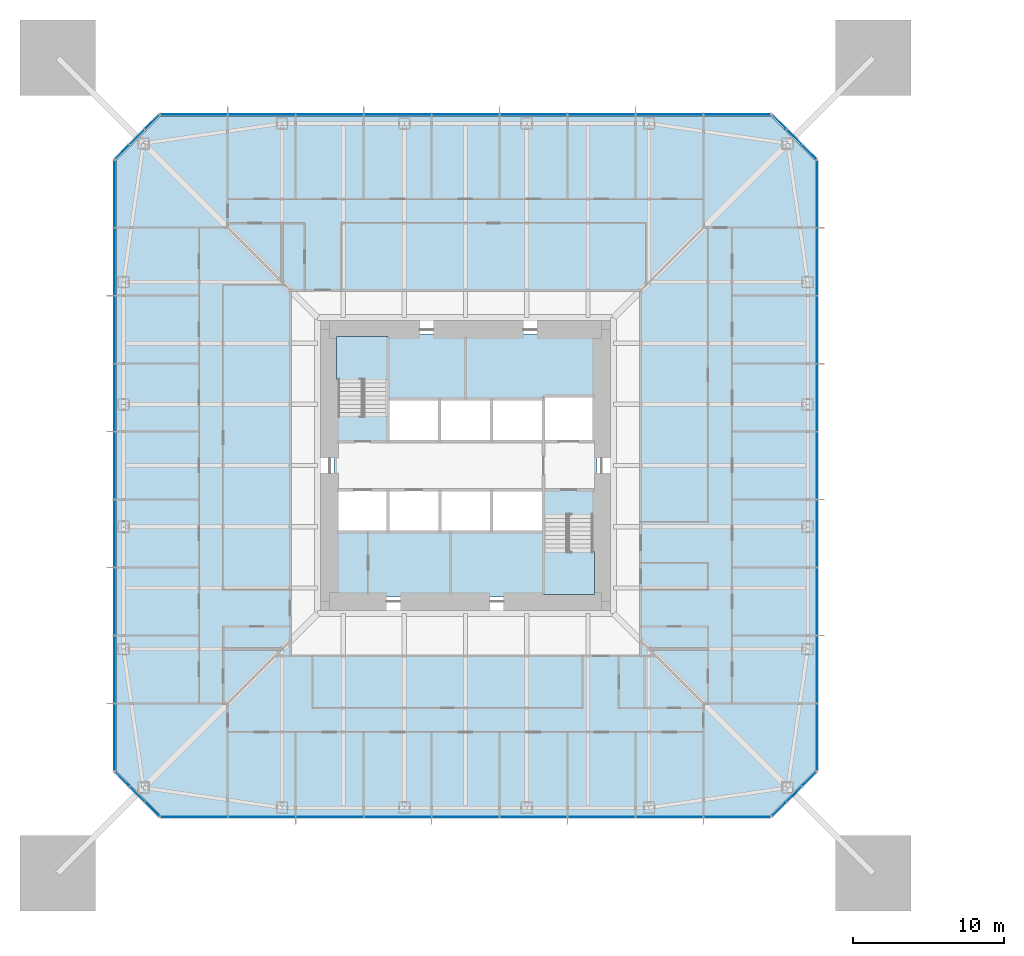
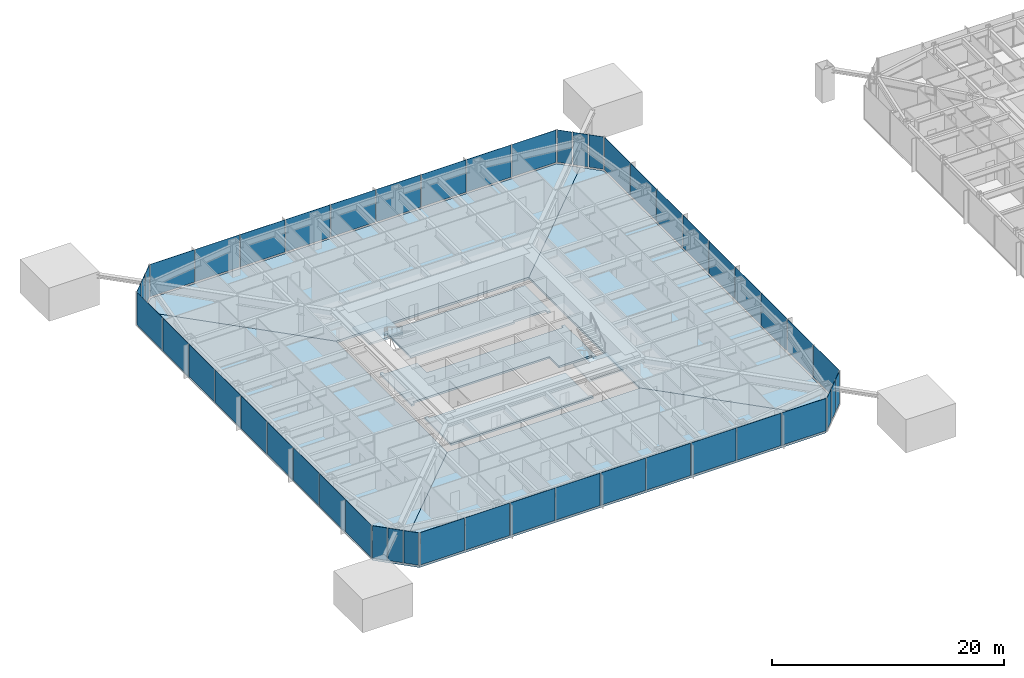
# One storey, part 12 of 26: 48 plates, 9 slabs, 10 elements without a shape of their own.
"""IFC4 building model written with IfcOpenShell, lengths in metres."""

from ifc_helpers import new_model, si_unit, direction, frame, origin, origin_2d, place, context, subcontext, project, spatial, polyline, rectangle, outline, extrude, material, layer, layer_set, constituent, constituent_set, type_object, element, aggregate, save


model = new_model("IFC4")

# Units and contexts
model_context = context("Model", 3, precision=1e-05, world=origin(), true_north=direction((0.0, 1.0)))
body_context = subcontext(model_context, "Body", "Model", "MODEL_VIEW")
ifc_project = project(units=[si_unit("LENGTHUNIT", "METRE"), si_unit("AREAUNIT", "SQUARE_METRE"), si_unit("VOLUMEUNIT", "CUBIC_METRE"), si_unit("PLANEANGLEUNIT", "RADIAN"), si_unit("MASSUNIT", "GRAM", prefix="KILO")], contexts=[model_context])

# Site, building, storey
site_placement = place(None, origin())
site = spatial("IfcSite", under=ifc_project, at=site_placement, CompositionType="ELEMENT")
building_placement = place(site_placement, origin())
building = spatial("IfcBuilding", under=site, at=building_placement, Name="Iwan Alto Co-Living Towers", CompositionType="ELEMENT")
storey_placement = place(building_placement, frame((0.0, 0.0, 22.0)))
storey = spatial("IfcBuildingStorey", under=building, at=storey_placement, Name="L05", CompositionType="ELEMENT", Elevation=22.0)

# Slabs
ifc_material_1 = material(Name="Concrete f'c 30 MPa", Category="concrete")
ifc_layer_1 = layer(ifc_material_1, 0.199951171875)
ifc_layer_set_1 = layer_set([ifc_layer_1], Name="CORE FLOOR SLAB 200")
slab_type_1 = type_object("IfcSlabType", Name="CORE FLOOR SLAB 200", PredefinedType="FLOOR", material=ifc_layer_set_1)
slab_1_placement = place(storey_placement, frame((0.0, 0.0, -0.199951171875)))
element("IfcSlab", 1, at=slab_1_placement, inside=storey, type_object=slab_type_1, Name="T1 core floor L05", PredefinedType="FLOOR", context=body_context, shape_type="SweptSolid", body=[
    extrude(outline(polyline([(8.699951171875, -3.580078125), (8.39990234375, -3.580078125), (8.39990234375, -3.27001953125), (5.14990234375, -3.27001953125), (5.14990234375, -1.60009765625), (1.72509765625, -1.60009765625), (-1.699951171875, -1.60009765625), (-5.125, -1.60009765625), (-8.39990234375, -1.60009765625), (-8.39990234375, -1.909912109375), (-8.699951171875, -1.909912109375), (-8.699951171875, 3.580078125), (-8.39990234375, 3.580078125), (-8.39990234375, 3.27001953125), (-5.14990234375, 3.27001953125), (-5.14990234375, 1.60009765625), (-1.717041015625, 1.60009765625), (1.717041015625, 1.60009765625), (5.14990234375, 1.60009765625), (8.39990234375, 1.60009765625), (8.39990234375, 1.909912109375), (8.699951171875, 1.909912109375), (8.699951171875, -3.580078125)])), origin(), (0.0, 0.0, 1.0), 0.199951171875),
])
slab_2_placement = place(storey_placement, frame((0.0, 0.0, -0.199951171875)))
element("IfcSlab", 2, at=slab_2_placement, inside=storey, type_object=slab_type_1, Name="T1 core floor L05", PredefinedType="FLOOR", context=body_context, shape_type="SweptSolid", body=[
    extrude(outline(polyline([(-1.699951171875, -4.39990234375), (1.72509765625, -4.39990234375), (5.14990234375, -4.39990234375), (5.14990234375, -8.39990234375), (5.4599609375, -8.39990234375), (5.4599609375, -8.699951171875), (-8.699951171875, -8.699951171875), (-8.699951171875, -4.090087890625), (-8.39990234375, -4.090087890625), (-8.39990234375, -4.39990234375), (-5.125, -4.39990234375), (-1.699951171875, -4.39990234375)])), origin(), (0.0, 0.0, 1.0), 0.199951171875),
])
slab_3_placement = place(storey_placement, frame((0.0, 0.0, -0.199951171875)))
element("IfcSlab", 3, at=slab_3_placement, inside=storey, type_object=slab_type_1, Name="T1 core floor L05", PredefinedType="FLOOR", context=body_context, shape_type="SweptSolid", body=[
    extrude(outline(polyline([(1.717041015625, 4.39990234375), (-1.717041015625, 4.39990234375), (-5.14990234375, 4.39990234375), (-5.14990234375, 8.39990234375), (-5.4599609375, 8.39990234375), (-5.4599609375, 8.699951171875), (8.699951171875, 8.699951171875), (8.699951171875, 4.2900390625), (8.39990234375, 4.2900390625), (8.39990234375, 4.60009765625), (5.14990234375, 4.60009765625), (5.14990234375, 4.39990234375), (1.717041015625, 4.39990234375)])), origin(), (0.0, 0.0, 1.0), 0.199951171875),
])

# Curtain wall, plates
ifc_material_2 = material(Name="Bronze aluminium unitised frame", Category="aluminium")
curtain_wall_type_1 = type_object("IfcCurtainWallType", Name="CURTAIN WALL CW-A", PredefinedType="NOTDEFINED", material=ifc_material_2)
curtain_wall_1_placement = place(storey_placement, origin())
curtain_wall_1 = element("IfcCurtainWall", 4, at=curtain_wall_1_placement, inside=storey, type_object=curtain_wall_type_1, Name="T1 curtain wall S L05", PredefinedType="NOTDEFINED")
ifc_material_3 = material(Name="Bronze-tinted insulating glass", Category="glass")
ifc_layer_2 = layer(ifc_material_3, 0.031982421875)
ifc_layer_set_2 = layer_set([ifc_layer_2], Name="CW-A PANEL TINTED IGU 32")
plate_type_1 = type_object("IfcPlateType", Name="CW-A PANEL TINTED IGU 32", PredefinedType="CURTAIN_PANEL", material=ifc_layer_set_2)
plate_1_placement = place(storey_placement, frame((-17.97998046875, -23.25, 0.10009765625), z_axis=(0.0, 0.0, 1.0), x_axis=(1.0, 0.0, 0.0)))
plate_1 = element("IfcPlate", 5, at=plate_1_placement, type_object=plate_type_1, Name="CW-A panel 1.1", PredefinedType="CURTAIN_PANEL", context=body_context, shape_type="SweptSolid", body=[
    extrude(rectangle(XDim=4.3798828125, YDim=0.031982421875, at=origin_2d()), origin(), (0.0, 0.0, 1.0), 3.39990234375),
])
plate_2_placement = place(storey_placement, frame((-13.5, -23.25, 0.10009765625), z_axis=(0.0, 0.0, 1.0), x_axis=(1.0, 0.0, 0.0)))
plate_2 = element("IfcPlate", 6, at=plate_2_placement, type_object=plate_type_1, Name="CW-A panel 2.1", PredefinedType="CURTAIN_PANEL", context=body_context, shape_type="SweptSolid", body=[
    extrude(rectangle(XDim=4.419921875, YDim=0.031982421875, at=origin_2d()), origin(), (0.0, 0.0, 1.0), 3.39990234375),
])
plate_3_placement = place(storey_placement, frame((-9.0, -23.25, 0.10009765625), z_axis=(0.0, 0.0, 1.0), x_axis=(1.0, 0.0, 0.0)))
plate_3 = element("IfcPlate", 7, at=plate_3_placement, type_object=plate_type_1, Name="CW-A panel 3.1", PredefinedType="CURTAIN_PANEL", context=body_context, shape_type="SweptSolid", body=[
    extrude(rectangle(XDim=4.419921875, YDim=0.031982421875, at=origin_2d()), origin(), (0.0, 0.0, 1.0), 3.39990234375),
])
plate_4_placement = place(storey_placement, frame((-4.5, -23.25, 0.10009765625), z_axis=(0.0, 0.0, 1.0), x_axis=(1.0, 0.0, 0.0)))
plate_4 = element("IfcPlate", 8, at=plate_4_placement, type_object=plate_type_1, Name="CW-A panel 4.1", PredefinedType="CURTAIN_PANEL", context=body_context, shape_type="SweptSolid", body=[
    extrude(rectangle(XDim=4.419921875, YDim=0.031982421875, at=origin_2d()), origin(), (0.0, 0.0, 1.0), 3.39990234375),
])
plate_5_placement = place(storey_placement, frame((0.0, -23.25, 0.10009765625), z_axis=(0.0, 0.0, 1.0), x_axis=(1.0, 0.0, 0.0)))
plate_5 = element("IfcPlate", 9, at=plate_5_placement, type_object=plate_type_1, Name="CW-A panel 5.1", PredefinedType="CURTAIN_PANEL", context=body_context, shape_type="SweptSolid", body=[
    extrude(rectangle(XDim=4.419921875, YDim=0.031982421875, at=origin_2d()), origin(), (0.0, 0.0, 1.0), 3.39990234375),
])
plate_6_placement = place(storey_placement, frame((4.5, -23.25, 0.10009765625), z_axis=(0.0, 0.0, 1.0), x_axis=(1.0, 0.0, 0.0)))
plate_6 = element("IfcPlate", 10, at=plate_6_placement, type_object=plate_type_1, Name="CW-A panel 6.1", PredefinedType="CURTAIN_PANEL", context=body_context, shape_type="SweptSolid", body=[
    extrude(rectangle(XDim=4.419921875, YDim=0.031982421875, at=origin_2d()), origin(), (0.0, 0.0, 1.0), 3.39990234375),
])
plate_7_placement = place(storey_placement, frame((9.0, -23.25, 0.10009765625), z_axis=(0.0, 0.0, 1.0), x_axis=(1.0, 0.0, 0.0)))
plate_7 = element("IfcPlate", 11, at=plate_7_placement, type_object=plate_type_1, Name="CW-A panel 7.1", PredefinedType="CURTAIN_PANEL", context=body_context, shape_type="SweptSolid", body=[
    extrude(rectangle(XDim=4.419921875, YDim=0.031982421875, at=origin_2d()), origin(), (0.0, 0.0, 1.0), 3.39990234375),
])
plate_8_placement = place(storey_placement, frame((13.5, -23.25, 0.10009765625), z_axis=(0.0, 0.0, 1.0), x_axis=(1.0, 0.0, 0.0)))
plate_8 = element("IfcPlate", 12, at=plate_8_placement, type_object=plate_type_1, Name="CW-A panel 8.1", PredefinedType="CURTAIN_PANEL", context=body_context, shape_type="SweptSolid", body=[
    extrude(rectangle(XDim=4.419921875, YDim=0.031982421875, at=origin_2d()), origin(), (0.0, 0.0, 1.0), 3.39990234375),
])
plate_9_placement = place(storey_placement, frame((17.97998046875, -23.25, 0.10009765625), z_axis=(0.0, 0.0, 1.0), x_axis=(1.0, 0.0, 0.0)))
plate_9 = element("IfcPlate", 13, at=plate_9_placement, type_object=plate_type_1, Name="CW-A panel 9.1", PredefinedType="CURTAIN_PANEL", context=body_context, shape_type="SweptSolid", body=[
    extrude(rectangle(XDim=4.3798828125, YDim=0.031982421875, at=origin_2d()), origin(), (0.0, 0.0, 1.0), 3.39990234375),
])
aggregate(curtain_wall_1, [plate_1, plate_2, plate_3, plate_4, plate_5, plate_6, plate_7, plate_8, plate_9])

curtain_wall_2_placement = place(storey_placement, origin())
curtain_wall_2 = element("IfcCurtainWall", 14, at=curtain_wall_2_placement, inside=storey, type_object=curtain_wall_type_1, Name="T1 curtain wall E L05", PredefinedType="NOTDEFINED")
plate_10_placement = place(storey_placement, frame((23.25, -17.97998046875, 0.10009765625), z_axis=(0.0, 0.0, 1.0), x_axis=(0.0, 1.0, 0.0)))
plate_10 = element("IfcPlate", 15, at=plate_10_placement, type_object=plate_type_1, Name="CW-A panel 1.1", PredefinedType="CURTAIN_PANEL", context=body_context, shape_type="SweptSolid", body=[
    extrude(rectangle(XDim=4.3798828125, YDim=0.031982421875, at=origin_2d()), origin(), (0.0, 0.0, 1.0), 3.39990234375),
])
plate_11_placement = place(storey_placement, frame((23.25, -13.5, 0.10009765625), z_axis=(0.0, 0.0, 1.0), x_axis=(0.0, 1.0, 0.0)))
plate_11 = element("IfcPlate", 16, at=plate_11_placement, type_object=plate_type_1, Name="CW-A panel 2.1", PredefinedType="CURTAIN_PANEL", context=body_context, shape_type="SweptSolid", body=[
    extrude(rectangle(XDim=4.419921875, YDim=0.031982421875, at=origin_2d()), origin(), (0.0, 0.0, 1.0), 3.39990234375),
])
plate_12_placement = place(storey_placement, frame((23.25, -9.0, 0.10009765625), z_axis=(0.0, 0.0, 1.0), x_axis=(0.0, 1.0, 0.0)))
plate_12 = element("IfcPlate", 17, at=plate_12_placement, type_object=plate_type_1, Name="CW-A panel 3.1", PredefinedType="CURTAIN_PANEL", context=body_context, shape_type="SweptSolid", body=[
    extrude(rectangle(XDim=4.419921875, YDim=0.031982421875, at=origin_2d()), origin(), (0.0, 0.0, 1.0), 3.39990234375),
])
plate_13_placement = place(storey_placement, frame((23.25, -4.5, 0.10009765625), z_axis=(0.0, 0.0, 1.0), x_axis=(0.0, 1.0, 0.0)))
plate_13 = element("IfcPlate", 18, at=plate_13_placement, type_object=plate_type_1, Name="CW-A panel 4.1", PredefinedType="CURTAIN_PANEL", context=body_context, shape_type="SweptSolid", body=[
    extrude(rectangle(XDim=4.419921875, YDim=0.031982421875, at=origin_2d()), origin(), (0.0, 0.0, 1.0), 3.39990234375),
])
plate_14_placement = place(storey_placement, frame((23.25, 0.0, 0.10009765625), z_axis=(0.0, 0.0, 1.0), x_axis=(0.0, 1.0, 0.0)))
plate_14 = element("IfcPlate", 19, at=plate_14_placement, type_object=plate_type_1, Name="CW-A panel 5.1", PredefinedType="CURTAIN_PANEL", context=body_context, shape_type="SweptSolid", body=[
    extrude(rectangle(XDim=4.419921875, YDim=0.031982421875, at=origin_2d()), origin(), (0.0, 0.0, 1.0), 3.39990234375),
])
plate_15_placement = place(storey_placement, frame((23.25, 4.5, 0.10009765625), z_axis=(0.0, 0.0, 1.0), x_axis=(0.0, 1.0, 0.0)))
plate_15 = element("IfcPlate", 20, at=plate_15_placement, type_object=plate_type_1, Name="CW-A panel 6.1", PredefinedType="CURTAIN_PANEL", context=body_context, shape_type="SweptSolid", body=[
    extrude(rectangle(XDim=4.419921875, YDim=0.031982421875, at=origin_2d()), origin(), (0.0, 0.0, 1.0), 3.39990234375),
])
plate_16_placement = place(storey_placement, frame((23.25, 9.0, 0.10009765625), z_axis=(0.0, 0.0, 1.0), x_axis=(0.0, 1.0, 0.0)))
plate_16 = element("IfcPlate", 21, at=plate_16_placement, type_object=plate_type_1, Name="CW-A panel 7.1", PredefinedType="CURTAIN_PANEL", context=body_context, shape_type="SweptSolid", body=[
    extrude(rectangle(XDim=4.419921875, YDim=0.031982421875, at=origin_2d()), origin(), (0.0, 0.0, 1.0), 3.39990234375),
])
plate_17_placement = place(storey_placement, frame((23.25, 13.5, 0.10009765625), z_axis=(0.0, 0.0, 1.0), x_axis=(0.0, 1.0, 0.0)))
plate_17 = element("IfcPlate", 22, at=plate_17_placement, type_object=plate_type_1, Name="CW-A panel 8.1", PredefinedType="CURTAIN_PANEL", context=body_context, shape_type="SweptSolid", body=[
    extrude(rectangle(XDim=4.419921875, YDim=0.031982421875, at=origin_2d()), origin(), (0.0, 0.0, 1.0), 3.39990234375),
])
plate_18_placement = place(storey_placement, frame((23.25, 17.97998046875, 0.10009765625), z_axis=(0.0, 0.0, 1.0), x_axis=(0.0, 1.0, 0.0)))
plate_18 = element("IfcPlate", 23, at=plate_18_placement, type_object=plate_type_1, Name="CW-A panel 9.1", PredefinedType="CURTAIN_PANEL", context=body_context, shape_type="SweptSolid", body=[
    extrude(rectangle(XDim=4.3798828125, YDim=0.031982421875, at=origin_2d()), origin(), (0.0, 0.0, 1.0), 3.39990234375),
])
aggregate(curtain_wall_2, [plate_10, plate_11, plate_12, plate_13, plate_14, plate_15, plate_16, plate_17, plate_18])

curtain_wall_3_placement = place(storey_placement, origin())
curtain_wall_3 = element("IfcCurtainWall", 24, at=curtain_wall_3_placement, inside=storey, type_object=curtain_wall_type_1, Name="T1 curtain wall N L05", PredefinedType="NOTDEFINED")
plate_19_placement = place(storey_placement, frame((17.97998046875, 23.25, 0.10009765625), z_axis=(0.0, 0.0, 1.0), x_axis=(-1.0, 0.0, 0.0)))
plate_19 = element("IfcPlate", 25, at=plate_19_placement, type_object=plate_type_1, Name="CW-A panel 1.1", PredefinedType="CURTAIN_PANEL", context=body_context, shape_type="SweptSolid", body=[
    extrude(rectangle(XDim=4.3798828125, YDim=0.031982421875, at=origin_2d()), origin(), (0.0, 0.0, 1.0), 3.39990234375),
])
plate_20_placement = place(storey_placement, frame((13.5, 23.25, 0.10009765625), z_axis=(0.0, 0.0, 1.0), x_axis=(-1.0, 0.0, 0.0)))
plate_20 = element("IfcPlate", 26, at=plate_20_placement, type_object=plate_type_1, Name="CW-A panel 2.1", PredefinedType="CURTAIN_PANEL", context=body_context, shape_type="SweptSolid", body=[
    extrude(rectangle(XDim=4.419921875, YDim=0.031982421875, at=origin_2d()), origin(), (0.0, 0.0, 1.0), 3.39990234375),
])
plate_21_placement = place(storey_placement, frame((9.0, 23.25, 0.10009765625), z_axis=(0.0, 0.0, 1.0), x_axis=(-1.0, 0.0, 0.0)))
plate_21 = element("IfcPlate", 27, at=plate_21_placement, type_object=plate_type_1, Name="CW-A panel 3.1", PredefinedType="CURTAIN_PANEL", context=body_context, shape_type="SweptSolid", body=[
    extrude(rectangle(XDim=4.419921875, YDim=0.031982421875, at=origin_2d()), origin(), (0.0, 0.0, 1.0), 3.39990234375),
])
plate_22_placement = place(storey_placement, frame((4.5, 23.25, 0.10009765625), z_axis=(0.0, 0.0, 1.0), x_axis=(-1.0, 0.0, 0.0)))
plate_22 = element("IfcPlate", 28, at=plate_22_placement, type_object=plate_type_1, Name="CW-A panel 4.1", PredefinedType="CURTAIN_PANEL", context=body_context, shape_type="SweptSolid", body=[
    extrude(rectangle(XDim=4.419921875, YDim=0.031982421875, at=origin_2d()), origin(), (0.0, 0.0, 1.0), 3.39990234375),
])
plate_23_placement = place(storey_placement, frame((0.0, 23.25, 0.10009765625), z_axis=(0.0, 0.0, 1.0), x_axis=(-1.0, 0.0, 0.0)))
plate_23 = element("IfcPlate", 29, at=plate_23_placement, type_object=plate_type_1, Name="CW-A panel 5.1", PredefinedType="CURTAIN_PANEL", context=body_context, shape_type="SweptSolid", body=[
    extrude(rectangle(XDim=4.419921875, YDim=0.031982421875, at=origin_2d()), origin(), (0.0, 0.0, 1.0), 3.39990234375),
])
plate_24_placement = place(storey_placement, frame((-4.5, 23.25, 0.10009765625), z_axis=(0.0, 0.0, 1.0), x_axis=(-1.0, 0.0, 0.0)))
plate_24 = element("IfcPlate", 30, at=plate_24_placement, type_object=plate_type_1, Name="CW-A panel 6.1", PredefinedType="CURTAIN_PANEL", context=body_context, shape_type="SweptSolid", body=[
    extrude(rectangle(XDim=4.419921875, YDim=0.031982421875, at=origin_2d()), origin(), (0.0, 0.0, 1.0), 3.39990234375),
])
plate_25_placement = place(storey_placement, frame((-9.0, 23.25, 0.10009765625), z_axis=(0.0, 0.0, 1.0), x_axis=(-1.0, 0.0, 0.0)))
plate_25 = element("IfcPlate", 31, at=plate_25_placement, type_object=plate_type_1, Name="CW-A panel 7.1", PredefinedType="CURTAIN_PANEL", context=body_context, shape_type="SweptSolid", body=[
    extrude(rectangle(XDim=4.419921875, YDim=0.031982421875, at=origin_2d()), origin(), (0.0, 0.0, 1.0), 3.39990234375),
])
plate_26_placement = place(storey_placement, frame((-13.5, 23.25, 0.10009765625), z_axis=(0.0, 0.0, 1.0), x_axis=(-1.0, 0.0, 0.0)))
plate_26 = element("IfcPlate", 32, at=plate_26_placement, type_object=plate_type_1, Name="CW-A panel 8.1", PredefinedType="CURTAIN_PANEL", context=body_context, shape_type="SweptSolid", body=[
    extrude(rectangle(XDim=4.419921875, YDim=0.031982421875, at=origin_2d()), origin(), (0.0, 0.0, 1.0), 3.39990234375),
])
plate_27_placement = place(storey_placement, frame((-17.97998046875, 23.25, 0.10009765625), z_axis=(0.0, 0.0, 1.0), x_axis=(-1.0, 0.0, 0.0)))
plate_27 = element("IfcPlate", 33, at=plate_27_placement, type_object=plate_type_1, Name="CW-A panel 9.1", PredefinedType="CURTAIN_PANEL", context=body_context, shape_type="SweptSolid", body=[
    extrude(rectangle(XDim=4.3798828125, YDim=0.031982421875, at=origin_2d()), origin(), (0.0, 0.0, 1.0), 3.39990234375),
])
aggregate(curtain_wall_3, [plate_19, plate_20, plate_21, plate_22, plate_23, plate_24, plate_25, plate_26, plate_27])

curtain_wall_4_placement = place(storey_placement, origin())
curtain_wall_4 = element("IfcCurtainWall", 34, at=curtain_wall_4_placement, inside=storey, type_object=curtain_wall_type_1, Name="T1 curtain wall W L05", PredefinedType="NOTDEFINED")
plate_28_placement = place(storey_placement, frame((-23.25, 17.97998046875, 0.10009765625), z_axis=(0.0, 0.0, 1.0), x_axis=(0.0, -1.0, 0.0)))
plate_28 = element("IfcPlate", 35, at=plate_28_placement, type_object=plate_type_1, Name="CW-A panel 1.1", PredefinedType="CURTAIN_PANEL", context=body_context, shape_type="SweptSolid", body=[
    extrude(rectangle(XDim=4.3798828125, YDim=0.031982421875, at=origin_2d()), origin(), (0.0, 0.0, 1.0), 3.39990234375),
])
plate_29_placement = place(storey_placement, frame((-23.25, 13.5, 0.10009765625), z_axis=(0.0, 0.0, 1.0), x_axis=(0.0, -1.0, 0.0)))
plate_29 = element("IfcPlate", 36, at=plate_29_placement, type_object=plate_type_1, Name="CW-A panel 2.1", PredefinedType="CURTAIN_PANEL", context=body_context, shape_type="SweptSolid", body=[
    extrude(rectangle(XDim=4.419921875, YDim=0.031982421875, at=origin_2d()), origin(), (0.0, 0.0, 1.0), 3.39990234375),
])
plate_30_placement = place(storey_placement, frame((-23.25, 9.0, 0.10009765625), z_axis=(0.0, 0.0, 1.0), x_axis=(0.0, -1.0, 0.0)))
plate_30 = element("IfcPlate", 37, at=plate_30_placement, type_object=plate_type_1, Name="CW-A panel 3.1", PredefinedType="CURTAIN_PANEL", context=body_context, shape_type="SweptSolid", body=[
    extrude(rectangle(XDim=4.419921875, YDim=0.031982421875, at=origin_2d()), origin(), (0.0, 0.0, 1.0), 3.39990234375),
])
plate_31_placement = place(storey_placement, frame((-23.25, 4.5, 0.10009765625), z_axis=(0.0, 0.0, 1.0), x_axis=(0.0, -1.0, 0.0)))
plate_31 = element("IfcPlate", 38, at=plate_31_placement, type_object=plate_type_1, Name="CW-A panel 4.1", PredefinedType="CURTAIN_PANEL", context=body_context, shape_type="SweptSolid", body=[
    extrude(rectangle(XDim=4.419921875, YDim=0.031982421875, at=origin_2d()), origin(), (0.0, 0.0, 1.0), 3.39990234375),
])
plate_32_placement = place(storey_placement, frame((-23.25, 0.0, 0.10009765625), z_axis=(0.0, 0.0, 1.0), x_axis=(0.0, -1.0, 0.0)))
plate_32 = element("IfcPlate", 39, at=plate_32_placement, type_object=plate_type_1, Name="CW-A panel 5.1", PredefinedType="CURTAIN_PANEL", context=body_context, shape_type="SweptSolid", body=[
    extrude(rectangle(XDim=4.419921875, YDim=0.031982421875, at=origin_2d()), origin(), (0.0, 0.0, 1.0), 3.39990234375),
])
plate_33_placement = place(storey_placement, frame((-23.25, -4.5, 0.10009765625), z_axis=(0.0, 0.0, 1.0), x_axis=(0.0, -1.0, 0.0)))
plate_33 = element("IfcPlate", 40, at=plate_33_placement, type_object=plate_type_1, Name="CW-A panel 6.1", PredefinedType="CURTAIN_PANEL", context=body_context, shape_type="SweptSolid", body=[
    extrude(rectangle(XDim=4.419921875, YDim=0.031982421875, at=origin_2d()), origin(), (0.0, 0.0, 1.0), 3.39990234375),
])
plate_34_placement = place(storey_placement, frame((-23.25, -9.0, 0.10009765625), z_axis=(0.0, 0.0, 1.0), x_axis=(0.0, -1.0, 0.0)))
plate_34 = element("IfcPlate", 41, at=plate_34_placement, type_object=plate_type_1, Name="CW-A panel 7.1", PredefinedType="CURTAIN_PANEL", context=body_context, shape_type="SweptSolid", body=[
    extrude(rectangle(XDim=4.419921875, YDim=0.031982421875, at=origin_2d()), origin(), (0.0, 0.0, 1.0), 3.39990234375),
])
plate_35_placement = place(storey_placement, frame((-23.25, -13.5, 0.10009765625), z_axis=(0.0, 0.0, 1.0), x_axis=(0.0, -1.0, 0.0)))
plate_35 = element("IfcPlate", 42, at=plate_35_placement, type_object=plate_type_1, Name="CW-A panel 8.1", PredefinedType="CURTAIN_PANEL", context=body_context, shape_type="SweptSolid", body=[
    extrude(rectangle(XDim=4.419921875, YDim=0.031982421875, at=origin_2d()), origin(), (0.0, 0.0, 1.0), 3.39990234375),
])
plate_36_placement = place(storey_placement, frame((-23.25, -17.97998046875, 0.10009765625), z_axis=(0.0, 0.0, 1.0), x_axis=(0.0, -1.0, 0.0)))
plate_36 = element("IfcPlate", 43, at=plate_36_placement, type_object=plate_type_1, Name="CW-A panel 9.1", PredefinedType="CURTAIN_PANEL", context=body_context, shape_type="SweptSolid", body=[
    extrude(rectangle(XDim=4.3798828125, YDim=0.031982421875, at=origin_2d()), origin(), (0.0, 0.0, 1.0), 3.39990234375),
])
aggregate(curtain_wall_4, [plate_28, plate_29, plate_30, plate_31, plate_32, plate_33, plate_34, plate_35, plate_36])

ifc_material_4 = material(Name="Bronze aluminium unitised frame", Category="aluminium")
curtain_wall_type_2 = type_object("IfcCurtainWallType", Name="CURTAIN WALL CW-B", PredefinedType="NOTDEFINED", material=ifc_material_4)
curtain_wall_5_placement = place(storey_placement, origin())
curtain_wall_5 = element("IfcCurtainWall", 44, at=curtain_wall_5_placement, inside=storey, type_object=curtain_wall_type_2, Name="T1 chamfer curtain wall SE L05", PredefinedType="NOTDEFINED")
ifc_material_5 = material(Name="Bronze-tinted insulating glass", Category="glass")
ifc_layer_3 = layer(ifc_material_5, 0.031982421875)
ifc_layer_set_3 = layer_set([ifc_layer_3], Name="CW-B PANEL TINTED IGU 32")
plate_type_2 = type_object("IfcPlateType", Name="CW-B PANEL TINTED IGU 32", PredefinedType="CURTAIN_PANEL", material=ifc_layer_set_3)
plate_37_placement = place(storey_placement, frame((20.76416015625, -22.73583984375, 0.10009765625), z_axis=(0.0, 0.0, 1.0), x_axis=(0.707106781187, 0.707106781187, 0.0)))
plate_37 = element("IfcPlate", 45, at=plate_37_placement, type_object=plate_type_2, Name="CW-B panel 1.1", PredefinedType="CURTAIN_PANEL", context=body_context, shape_type="SweptSolid", body=[
    extrude(rectangle(XDim=1.294189453125, YDim=0.031982421875, at=origin_2d()), origin(), (0.0, 0.0, 1.0), 3.39990234375),
])
plate_38_placement = place(storey_placement, frame((21.75, -21.75, 0.10009765625), z_axis=(0.0, 0.0, 1.0), x_axis=(0.707106781187, 0.707106781187, 0.0)))
plate_38 = element("IfcPlate", 46, at=plate_38_placement, type_object=plate_type_2, Name="CW-B panel 2.1", PredefinedType="CURTAIN_PANEL", context=body_context, shape_type="SweptSolid", body=[
    extrude(rectangle(XDim=1.334228515625, YDim=0.031982421875, at=origin_2d()), origin(), (0.0, 0.0, 1.0), 3.39990234375),
])
plate_39_placement = place(storey_placement, frame((22.73583984375, -20.76416015625, 0.10009765625), z_axis=(0.0, 0.0, 1.0), x_axis=(0.707106781187, 0.707106781187, 0.0)))
plate_39 = element("IfcPlate", 47, at=plate_39_placement, type_object=plate_type_2, Name="CW-B panel 3.1", PredefinedType="CURTAIN_PANEL", context=body_context, shape_type="SweptSolid", body=[
    extrude(rectangle(XDim=1.294189453125, YDim=0.031982421875, at=origin_2d()), origin(), (0.0, 0.0, 1.0), 3.39990234375),
])
aggregate(curtain_wall_5, [plate_37, plate_38, plate_39])

curtain_wall_6_placement = place(storey_placement, origin())
curtain_wall_6 = element("IfcCurtainWall", 48, at=curtain_wall_6_placement, inside=storey, type_object=curtain_wall_type_2, Name="T1 chamfer curtain wall NE L05", PredefinedType="NOTDEFINED")
plate_40_placement = place(storey_placement, frame((22.73583984375, 20.76416015625, 0.10009765625), z_axis=(0.0, 0.0, 1.0), x_axis=(-0.707106781187, 0.707106781187, 0.0)))
plate_40 = element("IfcPlate", 49, at=plate_40_placement, type_object=plate_type_2, Name="CW-B panel 1.1", PredefinedType="CURTAIN_PANEL", context=body_context, shape_type="SweptSolid", body=[
    extrude(rectangle(XDim=1.294189453125, YDim=0.031982421875, at=origin_2d()), origin(), (0.0, 0.0, 1.0), 3.39990234375),
])
plate_41_placement = place(storey_placement, frame((21.75, 21.75, 0.10009765625), z_axis=(0.0, 0.0, 1.0), x_axis=(-0.707106781187, 0.707106781187, 0.0)))
plate_41 = element("IfcPlate", 50, at=plate_41_placement, type_object=plate_type_2, Name="CW-B panel 2.1", PredefinedType="CURTAIN_PANEL", context=body_context, shape_type="SweptSolid", body=[
    extrude(rectangle(XDim=1.334228515625, YDim=0.031982421875, at=origin_2d()), origin(), (0.0, 0.0, 1.0), 3.39990234375),
])
plate_42_placement = place(storey_placement, frame((20.76416015625, 22.73583984375, 0.10009765625), z_axis=(0.0, 0.0, 1.0), x_axis=(-0.707106781187, 0.707106781187, 0.0)))
plate_42 = element("IfcPlate", 51, at=plate_42_placement, type_object=plate_type_2, Name="CW-B panel 3.1", PredefinedType="CURTAIN_PANEL", context=body_context, shape_type="SweptSolid", body=[
    extrude(rectangle(XDim=1.294189453125, YDim=0.031982421875, at=origin_2d()), origin(), (0.0, 0.0, 1.0), 3.39990234375),
])
aggregate(curtain_wall_6, [plate_40, plate_41, plate_42])

curtain_wall_7_placement = place(storey_placement, origin())
curtain_wall_7 = element("IfcCurtainWall", 52, at=curtain_wall_7_placement, inside=storey, type_object=curtain_wall_type_2, Name="T1 chamfer curtain wall NW L05", PredefinedType="NOTDEFINED")
plate_43_placement = place(storey_placement, frame((-20.76416015625, 22.73583984375, 0.10009765625), z_axis=(0.0, 0.0, 1.0), x_axis=(-0.707106781187, -0.707106781187, 0.0)))
plate_43 = element("IfcPlate", 53, at=plate_43_placement, type_object=plate_type_2, Name="CW-B panel 1.1", PredefinedType="CURTAIN_PANEL", context=body_context, shape_type="SweptSolid", body=[
    extrude(rectangle(XDim=1.294189453125, YDim=0.031982421875, at=origin_2d()), origin(), (0.0, 0.0, 1.0), 3.39990234375),
])
plate_44_placement = place(storey_placement, frame((-21.75, 21.75, 0.10009765625), z_axis=(0.0, 0.0, 1.0), x_axis=(-0.707106781187, -0.707106781187, 0.0)))
plate_44 = element("IfcPlate", 54, at=plate_44_placement, type_object=plate_type_2, Name="CW-B panel 2.1", PredefinedType="CURTAIN_PANEL", context=body_context, shape_type="SweptSolid", body=[
    extrude(rectangle(XDim=1.334228515625, YDim=0.031982421875, at=origin_2d()), origin(), (0.0, 0.0, 1.0), 3.39990234375),
])
plate_45_placement = place(storey_placement, frame((-22.73583984375, 20.76416015625, 0.10009765625), z_axis=(0.0, 0.0, 1.0), x_axis=(-0.707106781187, -0.707106781187, 0.0)))
plate_45 = element("IfcPlate", 55, at=plate_45_placement, type_object=plate_type_2, Name="CW-B panel 3.1", PredefinedType="CURTAIN_PANEL", context=body_context, shape_type="SweptSolid", body=[
    extrude(rectangle(XDim=1.294189453125, YDim=0.031982421875, at=origin_2d()), origin(), (0.0, 0.0, 1.0), 3.39990234375),
])
aggregate(curtain_wall_7, [plate_43, plate_44, plate_45])

curtain_wall_8_placement = place(storey_placement, origin())
curtain_wall_8 = element("IfcCurtainWall", 56, at=curtain_wall_8_placement, inside=storey, type_object=curtain_wall_type_2, Name="T1 chamfer curtain wall SW L05", PredefinedType="NOTDEFINED")
plate_46_placement = place(storey_placement, frame((-22.73583984375, -20.76416015625, 0.10009765625), z_axis=(0.0, 0.0, 1.0), x_axis=(0.707106781187, -0.707106781187, 0.0)))
plate_46 = element("IfcPlate", 57, at=plate_46_placement, type_object=plate_type_2, Name="CW-B panel 1.1", PredefinedType="CURTAIN_PANEL", context=body_context, shape_type="SweptSolid", body=[
    extrude(rectangle(XDim=1.294189453125, YDim=0.031982421875, at=origin_2d()), origin(), (0.0, 0.0, 1.0), 3.39990234375),
])
plate_47_placement = place(storey_placement, frame((-21.75, -21.75, 0.10009765625), z_axis=(0.0, 0.0, 1.0), x_axis=(0.707106781187, -0.707106781187, 0.0)))
plate_47 = element("IfcPlate", 58, at=plate_47_placement, type_object=plate_type_2, Name="CW-B panel 2.1", PredefinedType="CURTAIN_PANEL", context=body_context, shape_type="SweptSolid", body=[
    extrude(rectangle(XDim=1.334228515625, YDim=0.031982421875, at=origin_2d()), origin(), (0.0, 0.0, 1.0), 3.39990234375),
])
plate_48_placement = place(storey_placement, frame((-20.76416015625, -22.73583984375, 0.10009765625), z_axis=(0.0, 0.0, 1.0), x_axis=(0.707106781187, -0.707106781187, 0.0)))
plate_48 = element("IfcPlate", 59, at=plate_48_placement, type_object=plate_type_2, Name="CW-B panel 3.1", PredefinedType="CURTAIN_PANEL", context=body_context, shape_type="SweptSolid", body=[
    extrude(rectangle(XDim=1.294189453125, YDim=0.031982421875, at=origin_2d()), origin(), (0.0, 0.0, 1.0), 3.39990234375),
])
aggregate(curtain_wall_8, [plate_46, plate_47, plate_48])

# Stair, slab
ifc_material_6 = material(Name="Steel ASTM A36", Category="steel")
ifc_constituent_1 = constituent(ifc_material_6, Name="Stringers", Category="LoadBearing")
ifc_material_7 = material(Name="Concrete f'c 30 MPa", Category="concrete")
ifc_constituent_2 = constituent(ifc_material_7, Name="Tread fill", Category="Finish")
ifc_constituent_set = constituent_set(constituents=[ifc_constituent_1, ifc_constituent_2], Name="STAIR 3500 TWO-FLIGHT T1 CORE")
stair_type = type_object("IfcStairType", Name="STAIR 3500 TWO-FLIGHT T1 CORE", PredefinedType="HALF_TURN_STAIR", material=ifc_constituent_set)
stair_1_placement = place(storey_placement, origin())
stair_1 = element("IfcStair", 60, at=stair_1_placement, inside=storey, type_object=stair_type, Name="Stair T1-S1 L05 to L06", PredefinedType="HALF_TURN_STAIR")
ifc_material_8 = material(Name="Concrete f'c 30 MPa", Category="concrete")
ifc_layer_4 = layer(ifc_material_8, 0.199951171875)
ifc_layer_set_4 = layer_set([ifc_layer_4], Name="STAIR LANDING 200")
slab_type_2 = type_object("IfcSlabType", Name="STAIR LANDING 200", PredefinedType="LANDING", material=ifc_layer_set_4)
slab_4_placement = place(storey_placement, frame((0.0, 0.0, 1.550048828125)))
slab_4 = element("IfcSlab", 61, at=slab_4_placement, type_object=slab_type_2, Name="T1-S1 landing 1", PredefinedType="LANDING", context=body_context, shape_type="SweptSolid", body=[
    extrude(outline(polyline([(-8.550048828125, 5.68994140625), (-8.550048828125, 8.550048828125), (-5.14990234375, 8.550048828125), (-5.14990234375, 5.68994140625), (-8.550048828125, 5.68994140625)])), origin(), (0.0, 0.0, 1.0), 0.199951171875),
])
aggregate(stair_1, [slab_4])

stair_2_placement = place(storey_placement, origin())
stair_2 = element("IfcStair", 62, at=stair_2_placement, inside=storey, type_object=stair_type, Name="Stair T1-S2 L05 to L06", PredefinedType="HALF_TURN_STAIR")
slab_5_placement = place(storey_placement, frame((0.0, 0.0, 1.550048828125)))
slab_5 = element("IfcSlab", 63, at=slab_5_placement, type_object=slab_type_2, Name="T1-S2 landing 1", PredefinedType="LANDING", context=body_context, shape_type="SweptSolid", body=[
    extrude(outline(polyline([(5.14990234375, -5.68994140625), (5.14990234375, -8.550048828125), (8.550048828125, -8.550048828125), (8.550048828125, -5.68994140625), (5.14990234375, -5.68994140625)])), origin(), (0.0, 0.0, 1.0), 0.199951171875),
])
aggregate(stair_2, [slab_5])

# Slabs
ifc_material_9 = material(Name="Concrete f'c 30 MPa", Category="concrete")
ifc_layer_5 = layer(ifc_material_9, 0.22998046875)
ifc_layer_set_5 = layer_set([ifc_layer_5], Name="T1 FLOOR SLAB 230")
slab_type_3 = type_object("IfcSlabType", Name="T1 FLOOR SLAB 230", PredefinedType="FLOOR", material=ifc_layer_set_5)
slab_6_placement = place(storey_placement, frame((0.0, 0.0, -0.22998046875)))
element("IfcSlab", 64, at=slab_6_placement, inside=storey, type_object=slab_type_3, Name="T1 floor slab L05 S pour", PredefinedType="FLOOR", context=body_context, shape_type="SweptSolid", body=[
    extrude(outline(polyline([(20.19140625, -23.14990234375), (-20.19140625, -23.14990234375), (-21.670654296875, -21.670654296875), (-9.60009765625, -9.60009765625), (9.60009765625, -9.60009765625), (21.670654296875, -21.670654296875), (20.19140625, -23.14990234375)])), origin(), (0.0, 0.0, 1.0), 0.22998046875),
])
slab_7_placement = place(storey_placement, frame((0.0, 0.0, -0.22998046875)))
element("IfcSlab", 65, at=slab_7_placement, inside=storey, type_object=slab_type_3, Name="T1 floor slab L05 E pour", PredefinedType="FLOOR", context=body_context, shape_type="SweptSolid", body=[
    extrude(outline(polyline([(23.14990234375, 20.19140625), (23.14990234375, -20.19140625), (21.670654296875, -21.670654296875), (9.60009765625, -9.60009765625), (9.60009765625, 9.60009765625), (21.670654296875, 21.670654296875), (23.14990234375, 20.19140625)])), origin(), (0.0, 0.0, 1.0), 0.22998046875),
])
slab_8_placement = place(storey_placement, frame((0.0, 0.0, -0.22998046875)))
element("IfcSlab", 66, at=slab_8_placement, inside=storey, type_object=slab_type_3, Name="T1 floor slab L05 N pour", PredefinedType="FLOOR", context=body_context, shape_type="SweptSolid", body=[
    extrude(outline(polyline([(-20.19140625, 23.14990234375), (20.19140625, 23.14990234375), (21.670654296875, 21.670654296875), (9.60009765625, 9.60009765625), (-9.60009765625, 9.60009765625), (-21.670654296875, 21.670654296875), (-20.19140625, 23.14990234375)])), origin(), (0.0, 0.0, 1.0), 0.22998046875),
])
slab_9_placement = place(storey_placement, frame((0.0, 0.0, -0.22998046875)))
element("IfcSlab", 67, at=slab_9_placement, inside=storey, type_object=slab_type_3, Name="T1 floor slab L05 W pour", PredefinedType="FLOOR", context=body_context, shape_type="SweptSolid", body=[
    extrude(outline(polyline([(-23.14990234375, 20.19140625), (-21.670654296875, 21.670654296875), (-9.60009765625, 9.60009765625), (-9.60009765625, -9.60009765625), (-21.670654296875, -21.670654296875), (-23.14990234375, -20.19140625), (-23.14990234375, 20.19140625)])), origin(), (0.0, 0.0, 1.0), 0.22998046875),
])

save(model, "model.ifc")
